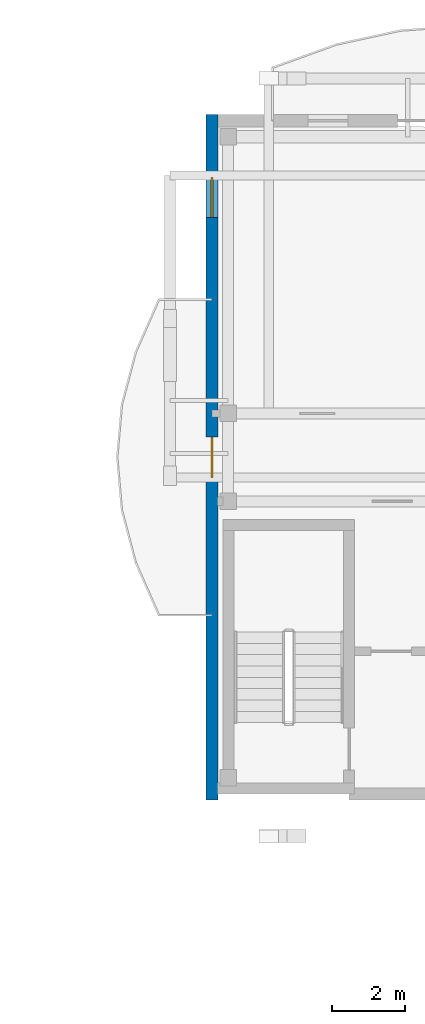
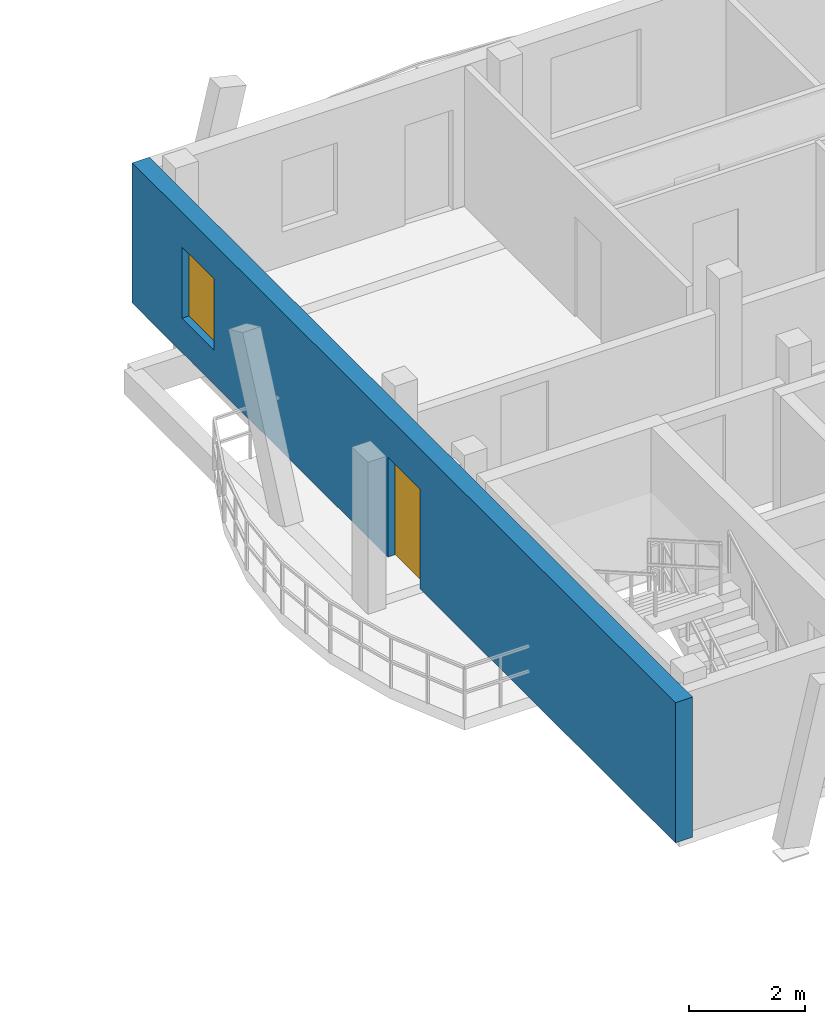
# One storey, part 24 of 42: 1 door, 1 wall, 1 window, 2 openings.
"""IFC4 building model written with IfcOpenShell, lengths in metres."""

from ifc_helpers import new_model, si_unit, direction, frame, frame_2d, origin, origin_with_axes, place, context, subcontext, project, spatial, rectangle, extrude, material, layer, layer_set, type_object, element, fill, save


model = new_model("IFC4")

# Units and contexts
model_context = context("Model", 3, precision=1e-05, world=origin(), true_north=direction((0.0, 1.0)))
body_context = subcontext(model_context, "Body", "Model", "MODEL_VIEW")
ifc_project = project(units=[si_unit("LENGTHUNIT", "METRE"), si_unit("AREAUNIT", "SQUARE_METRE"), si_unit("VOLUMEUNIT", "CUBIC_METRE"), si_unit("PLANEANGLEUNIT", "RADIAN"), si_unit("MASSUNIT", "GRAM", prefix="KILO")], contexts=[model_context])

# Site, building, storey
site_placement = place(None, origin())
site = spatial("IfcSite", under=ifc_project, at=site_placement, CompositionType="ELEMENT")
building_placement = place(site_placement, origin())
building = spatial("IfcBuilding", under=site, at=building_placement, Name="Zavelmont Quarter", CompositionType="ELEMENT")
storey_placement = place(building_placement, frame((0.0, 0.0, 24.0)))
storey = spatial("IfcBuildingStorey", under=building, at=storey_placement, Name="L07", CompositionType="ELEMENT", Elevation=24.0)

# Wall, openings, door, window
ifc_material_1 = material(Name="Natural Belgian limestone", Category="masonry")
ifc_layer = layer(ifc_material_1, 0.340087890625)
ifc_layer_set = layer_set([ifc_layer], Name="Natural Belgian limestone")
wall_type = type_object("IfcWallType", Name="EW03", PredefinedType="STANDARD", material=ifc_layer_set)
wall_placement = place(storey_placement, frame((126.60009765625, 97.429931640625, 0.0), z_axis=(0.0, 0.0, 1.0), x_axis=(0.0, 1.0, 0.0)))
wall = element("IfcWall", 1, at=wall_placement, inside=storey, type_object=wall_type, Name="L07 exterior limestone wall EW03", PredefinedType="STANDARD", context=body_context, shape_type="SweptSolid", body=[
    extrude(rectangle(XDim=18.739990234375, YDim=0.340087890625, at=frame_2d((9.3701171875, 0.0))), origin(), (0.0, 0.0, 1.0), 2.949951171875),
])
opening_1_placement = place(wall_placement, frame((8.820068359375, 0.0, 0.0)))
opening_1 = element("IfcOpeningElement", 2, at=opening_1_placement, cuts=wall, Name="Opening DR04B", PredefinedType="OPENING", context=body_context, shape_type="SweptSolid", body=[
    extrude(rectangle(XDim=1.10009765625, YDim=2.10009765625, at=frame_2d((0.550048828125, 1.050048828125))), frame((0.0, 0.18212890625, 0.0), z_axis=(0.0, -1.0, 0.0), x_axis=(1.0, 0.0, 0.0)), (0.0, 0.0, 1.0), 0.364013671875),
])
opening_2_placement = place(wall_placement, frame((15.919921875, 0.0, 0.719970703125)))
opening_2 = element("IfcOpeningElement", 3, at=opening_2_placement, cuts=wall, Name="Opening WN09", PredefinedType="OPENING", context=body_context, shape_type="SweptSolid", body=[
    extrude(rectangle(XDim=1.10009765625, YDim=1.5, at=frame_2d((0.550048828125, 0.75))), frame((0.0, 0.18212890625, 0.0), z_axis=(0.0, -1.0, 0.0), x_axis=(1.0, 0.0, 0.0)), (0.0, 0.0, 1.0), 0.364013671875),
])
ifc_material_2 = material(Name="Thermally broken aluminium and double safety glass", Category="aluminium")
door_type = type_object("IfcDoorType", Name="DR04B", OperationType="NOTDEFINED", PredefinedType="DOOR", material=ifc_material_2)
door_placement = place(opening_1_placement, frame((1.10009765625, 0.0, 0.0), z_axis=(0.0, 0.0, 1.0), x_axis=(-1.0, 0.0, 0.0)))
door = element("IfcDoor", 4, at=door_placement, inside=storey, type_object=door_type, Name="Block C L07 terrace or vase balcony door", OperationType="SINGLE_SWING_RIGHT", OverallHeight=2.10009765625, OverallWidth=1.10009765625, PredefinedType="DOOR", context=body_context, shape_type="SweptSolid", body=[
    extrude(rectangle(XDim=1.10009765625, YDim=2.10009765625, at=frame_2d((0.550048828125, 1.050048828125))), frame((0.0, 0.02490234375, 0.0), z_axis=(0.0, -1.0, 0.0), x_axis=(1.0, 0.0, 0.0)), (0.0, 0.0, 1.0), 0.050048828125),
])
fill(opening_1, door)
ifc_material_3 = material(Name="Double low-E insulated glazing in thermally broken aluminium frame", Category="aluminium")
window_type = type_object("IfcWindowType", Name="WN09", PartitioningType="SINGLE_PANEL", PredefinedType="WINDOW", material=ifc_material_3)
window_placement = place(opening_2_placement, origin_with_axes())
window = element("IfcWindow", 5, at=window_placement, inside=storey, type_object=window_type, Name="L07 window WN09", OverallHeight=1.5, OverallWidth=1.10009765625, PartitioningType="SINGLE_PANEL", PredefinedType="WINDOW", context=body_context, shape_type="SweptSolid", body=[
    extrude(rectangle(XDim=1.10009765625, YDim=1.5, at=frame_2d((0.550048828125, 0.75))), frame((0.0, 0.030029296875, 0.0), z_axis=(0.0, -1.0, 0.0), x_axis=(1.0, 0.0, 0.0)), (0.0, 0.0, 1.0), 0.06005859375),
])
fill(opening_2, window)

save(model, "model.ifc")
